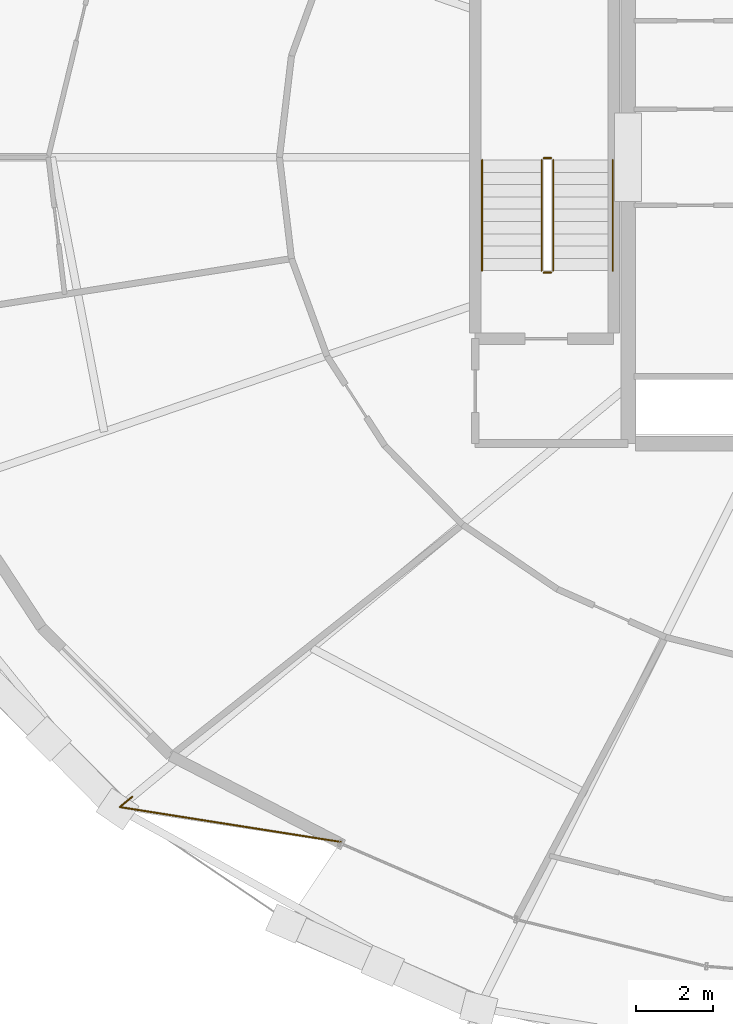
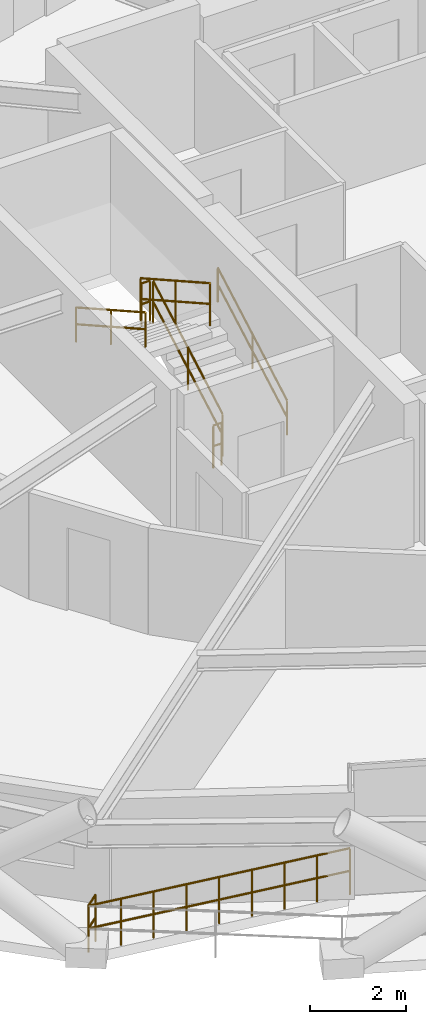
# One storey, part 18 of 20: 7 railings.
"""IFC4 building model written with IfcOpenShell, lengths in metres."""

from ifc_helpers import new_model, si_unit, direction, frame, origin, origin_2d, place, context, subcontext, project, spatial, circle, extrude, material, type_object, element, save


model = new_model("IFC4")

# Units and contexts
model_context = context("Model", 3, precision=1e-05, world=origin(), true_north=direction((0.0, 1.0)))
body_context = subcontext(model_context, "Body", "Model", "MODEL_VIEW")
ifc_project = project(units=[si_unit("LENGTHUNIT", "METRE"), si_unit("AREAUNIT", "SQUARE_METRE"), si_unit("VOLUMEUNIT", "CUBIC_METRE"), si_unit("PLANEANGLEUNIT", "RADIAN"), si_unit("MASSUNIT", "GRAM", prefix="KILO")], contexts=[model_context])

# Site, building, storey
site_placement = place(None, origin())
site = spatial("IfcSite", under=ifc_project, at=site_placement, CompositionType="ELEMENT")
building_placement = place(site_placement, origin())
building = spatial("IfcBuilding", under=site, at=building_placement, Name="Veldorina Hangang Commons", CompositionType="ELEMENT")
storey_placement = place(building_placement, frame((0.0, 0.0, 84.39990234375)))
storey = spatial("IfcBuildingStorey", under=building, at=storey_placement, Name="L21", CompositionType="ELEMENT", Elevation=84.39990234375)

# Railings
ifc_material_1 = material(Name="Glass Laminated Safety Balustrade", Category="glass")
railing_type_1 = type_object("IfcRailingType", Name="RL-BAL-LOGGIA", PredefinedType="BALUSTRADE", material=ifc_material_1)
railing_1_placement = place(storey_placement, frame((11.89404296875, 7.358642578125, 0.0)))
element("IfcRailing", 1, at=railing_1_placement, inside=storey, type_object=railing_type_1, Name="L21 sky-garden loggia end balustrade A", PredefinedType="BALUSTRADE", context=body_context, shape_type="SweptSolid", body=[
    extrude(circle(Radius=0.02392578125, at=origin_2d()), frame((0.0, 0.0, 1.17578125), z_axis=(-0.770502569176, -0.637436891694, 0.0), x_axis=(0.637436891694, -0.770502569176, 0.0)), (0.0, 0.0, 1.0), 0.420166015625),
    extrude(circle(Radius=0.02392578125, at=origin_2d()), frame((0.0, 0.0, 0.60009765625), z_axis=(-0.770502569176, -0.637436891694, 0.0), x_axis=(0.637436891694, -0.770502569176, 0.0)), (0.0, 0.0, 1.0), 0.420166015625),
    extrude(circle(Radius=0.02392578125, at=origin_2d()), frame((-0.32373046875, -0.267822265625, 1.17578125), z_axis=(0.987790129796, -0.155790434486, 0.0), x_axis=(0.155790434486, 0.987790129796, 0.0)), (0.0, 0.0, 1.0), 5.826416015625),
    extrude(circle(Radius=0.02392578125, at=origin_2d()), frame((-0.32373046875, -0.267822265625, 0.60009765625), z_axis=(0.987790129796, -0.155790434486, 0.0), x_axis=(0.155790434486, 0.987790129796, 0.0)), (0.0, 0.0, 1.0), 5.826416015625),
    extrude(circle(Radius=0.02099609375, at=origin_2d()), origin(), (0.0, 0.0, 1.0), 1.15185546875),
    extrude(circle(Radius=0.02099609375, at=origin_2d()), frame((-0.32373046875, -0.267822265625, 0.0)), (0.0, 0.0, 1.0), 1.15185546875),
    extrude(circle(Radius=0.02099609375, at=origin_2d()), frame((0.395751953125, -0.38134765625, 0.0)), (0.0, 0.0, 1.0), 1.15185546875),
    extrude(circle(Radius=0.02099609375, at=origin_2d()), frame((1.115234375, -0.49462890625, 0.0)), (0.0, 0.0, 1.0), 1.15185546875),
    extrude(circle(Radius=0.02099609375, at=origin_2d()), frame((1.83447265625, -0.608154296875, 0.0)), (0.0, 0.0, 1.0), 1.15185546875),
    extrude(circle(Radius=0.02099609375, at=origin_2d()), frame((2.553955078125, -0.7216796875, 0.0)), (0.0, 0.0, 1.0), 1.15185546875),
    extrude(circle(Radius=0.02099609375, at=origin_2d()), frame((3.2734375, -0.835205078125, 0.0)), (0.0, 0.0, 1.0), 1.15185546875),
    extrude(circle(Radius=0.02099609375, at=origin_2d()), frame((3.99267578125, -0.94873046875, 0.0)), (0.0, 0.0, 1.0), 1.15185546875),
    extrude(circle(Radius=0.02099609375, at=origin_2d()), frame((4.712158203125, -1.06201171875, 0.0)), (0.0, 0.0, 1.0), 1.15185546875),
    extrude(circle(Radius=0.02099609375, at=origin_2d()), frame((5.431640625, -1.175537109375, 0.0)), (0.0, 0.0, 1.0), 1.15185546875),
])
ifc_material_2 = material(Name="Steel Painted Balustrade", Category="steel")
railing_type_2 = type_object("IfcRailingType", Name="RL-GRD-STAIR", PredefinedType="GUARDRAIL", material=ifc_material_2)
railing_2_placement = place(storey_placement, frame((22.85009765625, 21.050048828125, 0.18017578125)))
element("IfcRailing", 2, at=railing_2_placement, inside=storey, type_object=railing_type_2, Name="L21 ST-1 stair guard 1", PredefinedType="GUARDRAIL", context=body_context, shape_type="SweptSolid", body=[
    extrude(circle(Radius=0.02392578125, at=origin_2d()), frame((0.0, 0.0, 1.076171875), z_axis=(0.0, 0.871583430097, 0.490247207417), x_axis=(-1.0, 0.0, 0.0)), (0.0, 0.0, 1.0), 3.30419921875),
    extrude(circle(Radius=0.02392578125, at=origin_2d()), frame((0.0, 0.0, 0.550048828125), z_axis=(0.0, 0.871583430097, 0.490247207417), x_axis=(-1.0, 0.0, 0.0)), (0.0, 0.0, 1.0), 3.30419921875),
    extrude(circle(Radius=0.02099609375, at=origin_2d()), origin(), (0.0, 0.0, 1.0), 1.052001953125),
    extrude(circle(Radius=0.02099609375, at=origin_2d()), frame((0.0, 1.43994140625, 0.81005859375)), (0.0, 0.0, 1.0), 1.052001953125),
    extrude(circle(Radius=0.02099609375, at=origin_2d()), frame((0.0, 2.8798828125, 1.619873046875)), (0.0, 0.0, 1.0), 1.052001953125),
])
railing_3_placement = place(storey_placement, frame((22.800048828125, 23.97998046875, 1.800048828125)))
element("IfcRailing", 3, at=railing_3_placement, inside=storey, type_object=railing_type_2, Name="L21 ST-1 stair guard 2", PredefinedType="GUARDRAIL", context=body_context, shape_type="SweptSolid", body=[
    extrude(circle(Radius=0.02392578125, at=origin_2d()), frame((0.0, 0.0, 1.076171875), z_axis=(-1.0, 0.0, 0.0), x_axis=(0.0, -1.0, 0.0)), (0.0, 0.0, 1.0), 0.199951171875),
    extrude(circle(Radius=0.02392578125, at=origin_2d()), frame((0.0, 0.0, 0.550048828125), z_axis=(-1.0, 0.0, 0.0), x_axis=(0.0, -1.0, 0.0)), (0.0, 0.0, 1.0), 0.199951171875),
    extrude(circle(Radius=0.02099609375, at=origin_2d()), origin(), (0.0, 0.0, 1.0), 1.052001953125),
    extrude(circle(Radius=0.02099609375, at=origin_2d()), frame((-0.199951171875, 0.0, 0.0)), (0.0, 0.0, 1.0), 1.052001953125),
])
railing_4_placement = place(storey_placement, frame((22.550048828125, 23.929931640625, 1.97998046875)))
element("IfcRailing", 4, at=railing_4_placement, inside=storey, type_object=railing_type_2, Name="L21 ST-1 stair guard 3", PredefinedType="GUARDRAIL", context=body_context, shape_type="SweptSolid", body=[
    extrude(circle(Radius=0.02392578125, at=origin_2d()), frame((0.0, 0.0, 1.076171875), z_axis=(0.0, -0.87155185771, 0.490303333991), x_axis=(1.0, 0.0, 0.0)), (0.0, 0.0, 1.0), 3.30419921875),
    extrude(circle(Radius=0.02392578125, at=origin_2d()), frame((0.0, 0.0, 0.550048828125), z_axis=(0.0, -0.87155185771, 0.490303333991), x_axis=(1.0, 0.0, 0.0)), (0.0, 0.0, 1.0), 3.30419921875),
    extrude(circle(Radius=0.02099609375, at=origin_2d()), origin(), (0.0, 0.0, 1.0), 1.052001953125),
    extrude(circle(Radius=0.02099609375, at=origin_2d()), frame((0.0, -1.43994140625, 0.81005859375)), (0.0, 0.0, 1.0), 1.052001953125),
    extrude(circle(Radius=0.02099609375, at=origin_2d()), frame((0.0, -2.8798828125, 1.6201171875)), (0.0, 0.0, 1.0), 1.052001953125),
])
railing_5_placement = place(storey_placement, frame((22.800048828125, 21.0, 0.0)))
element("IfcRailing", 5, at=railing_5_placement, inside=storey, type_object=railing_type_2, Name="L21 ST-1 stair guard 4", PredefinedType="GUARDRAIL", context=body_context, shape_type="SweptSolid", body=[
    extrude(circle(Radius=0.02392578125, at=origin_2d()), frame((0.0, 0.0, 1.076171875), z_axis=(-1.0, 0.0, 0.0), x_axis=(0.0, -1.0, 0.0)), (0.0, 0.0, 1.0), 0.199951171875),
    extrude(circle(Radius=0.02392578125, at=origin_2d()), frame((0.0, 0.0, 0.550048828125), z_axis=(-1.0, 0.0, 0.0), x_axis=(0.0, -1.0, 0.0)), (0.0, 0.0, 1.0), 0.199951171875),
    extrude(circle(Radius=0.02099609375, at=origin_2d()), origin(), (0.0, 0.0, 1.0), 1.052001953125),
    extrude(circle(Radius=0.02099609375, at=origin_2d()), frame((-0.199951171875, 0.0, 0.0)), (0.0, 0.0, 1.0), 1.052001953125),
])
ifc_material_3 = material(Name="Stainless Steel Brushed 316", Category="steel")
railing_type_3 = type_object("IfcRailingType", Name="RL-HND-STAIR", PredefinedType="HANDRAIL", material=ifc_material_3)
railing_6_placement = place(storey_placement, frame((24.39990234375, 21.050048828125, 0.18017578125)))
element("IfcRailing", 6, at=railing_6_placement, inside=storey, type_object=railing_type_3, Name="L21 ST-1 stair handrail 1", PredefinedType="HANDRAIL", context=body_context, shape_type="SweptSolid", body=[
    extrude(circle(Radius=0.02392578125, at=origin_2d()), frame((0.0, 0.0, 0.8759765625), z_axis=(0.0, 0.871583430097, 0.490247207417), x_axis=(-1.0, 0.0, 0.0)), (0.0, 0.0, 1.0), 3.30419921875),
    extrude(circle(Radius=0.02392578125, at=origin_2d()), frame((0.0, 0.0, 0.449951171875), z_axis=(0.0, 0.871583430097, 0.490247207417), x_axis=(-1.0, 0.0, 0.0)), (0.0, 0.0, 1.0), 3.30419921875),
    extrude(circle(Radius=0.02099609375, at=origin_2d()), origin(), (0.0, 0.0, 1.0), 0.851806640625),
    extrude(circle(Radius=0.02099609375, at=origin_2d()), frame((0.0, 1.43994140625, 0.81005859375)), (0.0, 0.0, 1.0), 0.851806640625),
    extrude(circle(Radius=0.02099609375, at=origin_2d()), frame((0.0, 2.8798828125, 1.619873046875)), (0.0, 0.0, 1.0), 0.851806640625),
])
railing_7_placement = place(storey_placement, frame((21.0, 23.929931640625, 1.97998046875)))
element("IfcRailing", 7, at=railing_7_placement, inside=storey, type_object=railing_type_3, Name="L21 ST-1 stair handrail 2", PredefinedType="HANDRAIL", context=body_context, shape_type="SweptSolid", body=[
    extrude(circle(Radius=0.02392578125, at=origin_2d()), frame((0.0, 0.0, 0.8759765625), z_axis=(0.0, -0.87155185771, 0.490303333991), x_axis=(1.0, 0.0, 0.0)), (0.0, 0.0, 1.0), 3.30419921875),
    extrude(circle(Radius=0.02392578125, at=origin_2d()), frame((0.0, 0.0, 0.449951171875), z_axis=(0.0, -0.87155185771, 0.490303333991), x_axis=(1.0, 0.0, 0.0)), (0.0, 0.0, 1.0), 3.30419921875),
    extrude(circle(Radius=0.02099609375, at=origin_2d()), origin(), (0.0, 0.0, 1.0), 0.851806640625),
    extrude(circle(Radius=0.02099609375, at=origin_2d()), frame((0.0, -1.43994140625, 0.81005859375)), (0.0, 0.0, 1.0), 0.851806640625),
    extrude(circle(Radius=0.02099609375, at=origin_2d()), frame((0.0, -2.8798828125, 1.6201171875)), (0.0, 0.0, 1.0), 0.851806640625),
])

save(model, "model.ifc")
